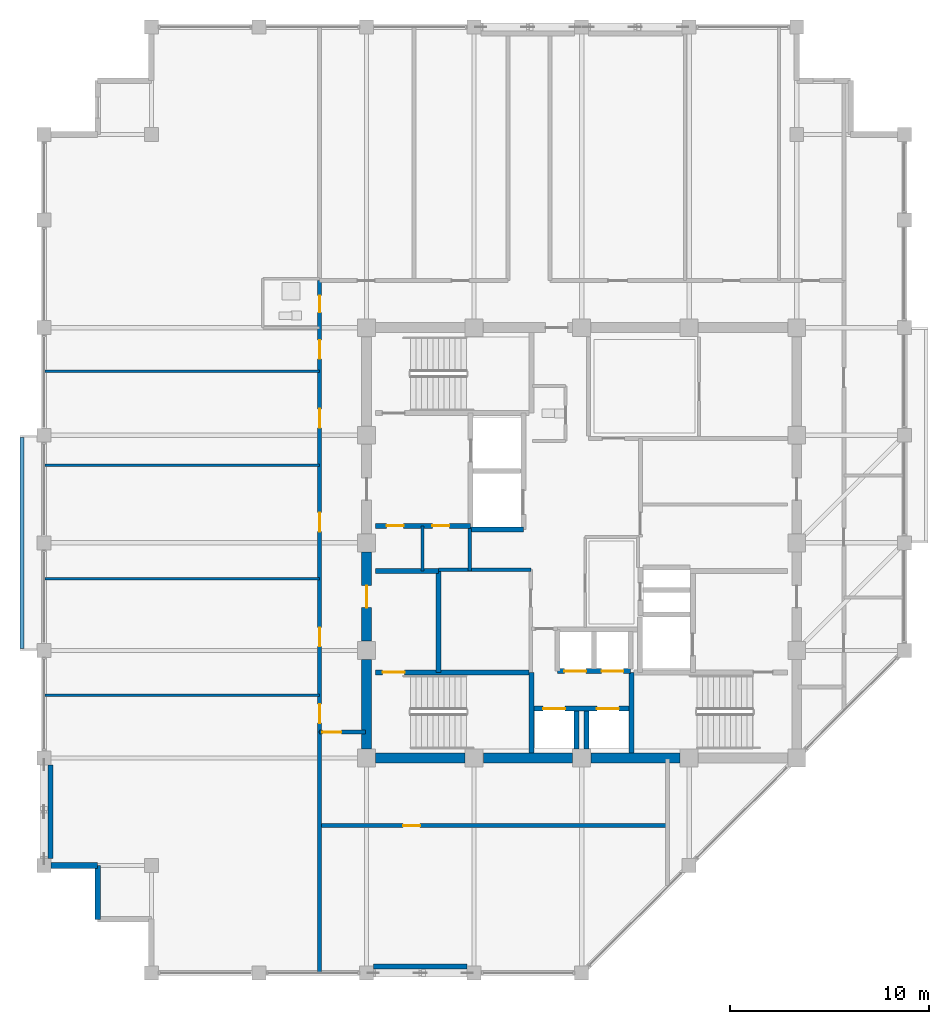
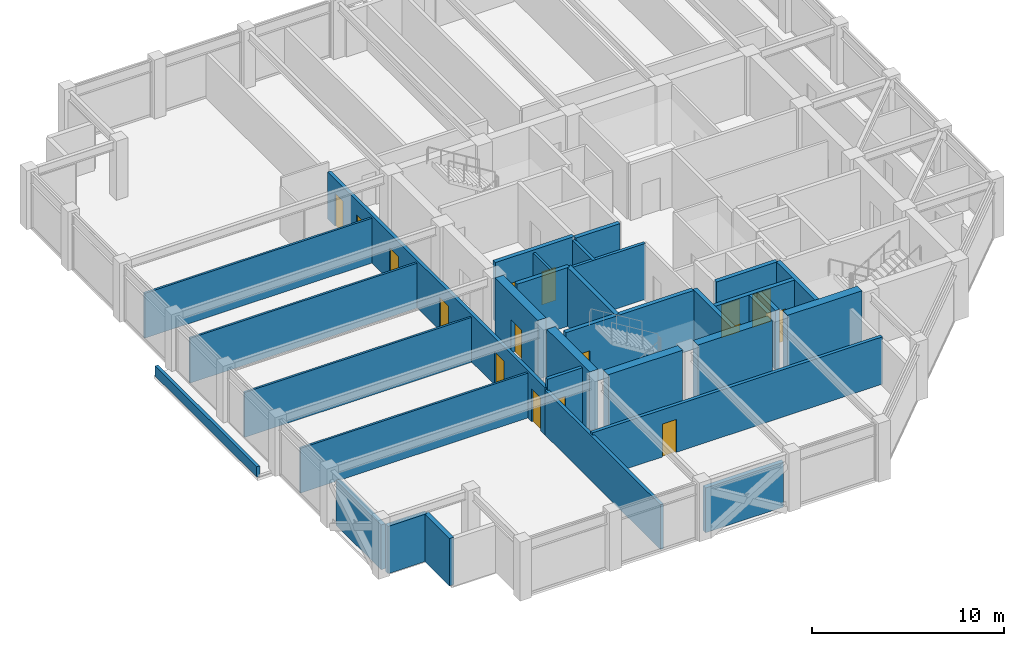
# One storey, part 25 of 30: 32 walls, 16 doors, 16 openings.
"""IFC4 building model written with IfcOpenShell, lengths in metres."""

from ifc_helpers import new_model, si_unit, direction, frame, frame_2d, origin, place, context, subcontext, project, spatial, rectangle, extrude, material, layer, layer_set, type_object, element, fill, save


model = new_model("IFC4")

# Units and contexts
model_context = context("Model", 3, precision=1e-05, world=origin(), true_north=direction((0.0, 1.0)))
body_context = subcontext(model_context, "Body", "Model", "MODEL_VIEW")
ifc_project = project(units=[si_unit("LENGTHUNIT", "METRE"), si_unit("AREAUNIT", "SQUARE_METRE"), si_unit("VOLUMEUNIT", "CUBIC_METRE"), si_unit("PLANEANGLEUNIT", "RADIAN"), si_unit("MASSUNIT", "GRAM", prefix="KILO")], contexts=[model_context])

# Site, building, storey
site_placement = place(None, origin())
site = spatial("IfcSite", under=ifc_project, at=site_placement, CompositionType="ELEMENT")
building_placement = place(site_placement, origin())
building = spatial("IfcBuilding", under=site, at=building_placement, Name="Surkhivell Harbour Commons", CompositionType="ELEMENT")
storey_placement = place(building_placement, frame((0.0, 0.0, 281.25)))
storey = spatial("IfcBuildingStorey", under=building, at=storey_placement, Name="L73", CompositionType="ELEMENT", Elevation=281.25)

# Walls
ifc_material_1 = material(Name="Concrete C50/60", Category="concrete")
ifc_layer_1 = layer(ifc_material_1, 0.5)
ifc_layer_set_1 = layer_set([ifc_layer_1], Name="Concrete C50/60")
wall_type_1 = type_object("IfcWallType", Name="WAL-CORE-500", PredefinedType="SHEAR", material=ifc_layer_set_1)
for number, where, z_axis, x_axis, name in (
    (1, (-10.340087890625, -10.800048828125, 0.0), (0.0, 0.0, 1.0), (1.0, 0.0, 0.0), "L73 Core Shear Wall South 1"),
    (2, (-10.800048828125, -10.340087890625, 0.0), (0.0, 0.0, 1.0), (0.0, 1.0, 0.0), "L73 Core Shear Wall West 1"),
    (3, (-4.93994140625, -10.800048828125, 0.0), (0.0, 0.0, 1.0), (1.0, 0.0, 0.0), "L73 Core Shear Wall South 2"),
):
    element("IfcWall", number, at=place(storey_placement, frame(where, z_axis=z_axis, x_axis=x_axis)), inside=storey, type_object=wall_type_1, Name=name, PredefinedType="SHEAR", context=body_context, shape_type="SweptSolid", body=[
        extrude(rectangle(XDim=4.47998046875, YDim=0.5, at=frame_2d((2.239990234375, 0.0))), origin(), (0.0, 0.0, 1.0), 3.75),
    ])

# Wall, opening, door
wall_1_placement = place(storey_placement, frame((-10.800048828125, -4.93994140625, 0.0), z_axis=(0.0, 0.0, 1.0), x_axis=(0.0, 1.0, 0.0)))
wall_1 = element("IfcWall", 4, at=wall_1_placement, inside=storey, type_object=wall_type_1, Name="L73 Core Shear Wall West 2", PredefinedType="SHEAR", context=body_context, shape_type="SweptSolid", body=[
    extrude(rectangle(XDim=4.47998046875, YDim=0.5, at=frame_2d((2.239990234375, 0.0))), origin(), (0.0, 0.0, 1.0), 3.75),
])
opening_1_placement = place(wall_1_placement, frame((1.68994140625, 0.0, 0.0)))
opening_1 = element("IfcOpeningElement", 5, at=opening_1_placement, cuts=wall_1, Name="Opening ID-2", PredefinedType="OPENING", context=body_context, shape_type="SweptSolid", body=[
    extrude(rectangle(XDim=1.10009765625, YDim=2.10009765625, at=frame_2d((0.550048828125, 1.050048828125))), frame((0.0, 0.260009765625, 0.0), z_axis=(0.0, -1.0, 0.0), x_axis=(1.0, 0.0, 0.0)), (0.0, 0.0, 1.0), 0.52001953125),
])
ifc_material_2 = material(Name="Hardwood-veneered fire-rated door leaf", Category="wood")
door_type_1 = type_object("IfcDoorType", Name="DOR-FD60-1100", OperationType="NOTDEFINED", PredefinedType="DOOR", material=ifc_material_2)
door_1_placement = place(opening_1_placement, origin())
door_1 = element("IfcDoor", 6, at=door_1_placement, inside=storey, type_object=door_type_1, Name="L73 Stair 3 Lobby Corridor Door", OperationType="SINGLE_SWING_LEFT", OverallHeight=2.10009765625, OverallWidth=1.10009765625, PredefinedType="DOOR", context=body_context, shape_type="SweptSolid", body=[
    extrude(rectangle(XDim=1.10009765625, YDim=2.10009765625, at=frame_2d((0.550048828125, 1.050048828125))), frame((0.0, 0.02490234375, 0.0), z_axis=(0.0, -1.0, 0.0), x_axis=(1.0, 0.0, 0.0)), (0.0, 0.0, 1.0), 0.050048828125),
])
fill(opening_1, door_1)

# Walls
wall_2_placement = place(storey_placement, frame((0.4599609375, -10.800048828125, 0.0), z_axis=(0.0, 0.0, 1.0), x_axis=(1.0, 0.0, 0.0)))
element("IfcWall", 7, at=wall_2_placement, inside=storey, type_object=wall_type_1, Name="L73 Core Shear Wall South 3", PredefinedType="SHEAR", context=body_context, shape_type="SweptSolid", body=[
    extrude(rectangle(XDim=4.47998046875, YDim=0.5, at=frame_2d((2.239990234375, 0.0))), origin(), (0.0, 0.0, 1.0), 3.75),
])
ifc_material_3 = material(Name="Pale-metal insulated precast concrete C45/55", Category="concrete")
ifc_layer_2 = layer(ifc_material_3, 0.260009765625)
ifc_layer_set_2 = layer_set([ifc_layer_2], Name="Pale-metal insulated precast concrete C45/55")
wall_type_2 = type_object("IfcWallType", Name="WAL-EXT-MTL260", PredefinedType="STANDARD", material=ifc_layer_set_2)
wall_3_placement = place(storey_placement, frame((-10.451904296875, -21.264892578125, 0.0), z_axis=(0.0, 0.0, 1.0), x_axis=(1.0, 0.0, 0.0)))
element("IfcWall", 8, at=wall_3_placement, inside=storey, type_object=wall_type_2, Name="L73 Braced-Bay Insulated Spandrel Backing S", PredefinedType="STANDARD", context=body_context, shape_type="SweptSolid", body=[
    extrude(rectangle(XDim=4.703857421875, YDim=0.260009765625, at=frame_2d((2.35205078125, 0.0))), origin(), (0.0, 0.0, 1.0), 2.85693359375),
])
wall_4_placement = place(storey_placement, frame((-26.6650390625, -11.14794921875, 0.0), z_axis=(0.0, 0.0, 1.0), x_axis=(0.0, -1.0, 0.0)))
element("IfcWall", 9, at=wall_4_placement, inside=storey, type_object=wall_type_2, Name="L73 Braced-Bay Insulated Spandrel Backing W", PredefinedType="STANDARD", context=body_context, shape_type="SweptSolid", body=[
    extrude(rectangle(XDim=4.7041015625, YDim=0.260009765625, at=frame_2d((2.35205078125, 0.0))), origin(), (0.0, 0.0, 1.0), 2.85693359375),
])
ifc_material_4 = material(Name="Terracotta-clad reinforced concrete C45/55", Category="masonry")
ifc_layer_3 = layer(ifc_material_4, 0.280029296875)
ifc_layer_set_3 = layer_set([ifc_layer_3], Name="Terracotta-clad reinforced concrete C45/55")
wall_type_3 = type_object("IfcWallType", Name="WAL-EXT-TER280", PredefinedType="STANDARD", material=ifc_layer_set_3)
wall_5_placement = place(storey_placement, frame((-26.652099609375, -16.199951171875, 0.0), z_axis=(0.0, 0.0, 1.0), x_axis=(1.0, 0.0, 0.0)))
element("IfcWall", 10, at=wall_5_placement, inside=storey, type_object=wall_type_3, Name="L73 Serrated Corner Facade Wall 13", PredefinedType="STANDARD", context=body_context, shape_type="SweptSolid", body=[
    extrude(rectangle(XDim=2.35205078125, YDim=0.280029296875, at=frame_2d((1.176025390625, 0.0))), origin(), (0.0, 0.0, 1.0), 3.012939453125),
])
wall_6_placement = place(storey_placement, frame((-24.300048828125, -16.199951171875, 0.0), z_axis=(0.0, 0.0, 1.0), x_axis=(0.0, -1.0, 0.0)))
element("IfcWall", 11, at=wall_6_placement, inside=storey, type_object=wall_type_3, Name="L73 Serrated Corner Facade Wall 14", PredefinedType="STANDARD", context=body_context, shape_type="SweptSolid", body=[
    extrude(rectangle(XDim=2.699951171875, YDim=0.280029296875, at=frame_2d((1.35009765625, 0.0))), origin(), (0.0, 0.0, 1.0), 3.012939453125),
])
ifc_material_5 = material(Name="Moisture-resistant acoustic stud partition", Category="other")
ifc_layer_4 = layer(ifc_material_5, 0.125)
ifc_layer_set_4 = layer_set([ifc_layer_4], Name="Moisture-resistant acoustic stud partition")
wall_type_4 = type_object("IfcWallType", Name="WAL-INT-125", PredefinedType="PARTITIONING", material=ifc_layer_set_4)
for number, where, z_axis, x_axis, name in (
    (12, (-26.93994140625, -1.800048828125, 0.0), (0.0, 0.0, 1.0), (1.0, 0.0, 0.0), "L73 West Partition BDP1"),
    (13, (-26.93994140625, 3.889892578125, 0.0), (0.0, 0.0, 1.0), (1.0, 0.0, 0.0), "L73 West Partition BDP2"),
    (14, (-26.93994140625, -7.64990234375, 0.0), (0.0, 0.0, 1.0), (1.0, 0.0, 0.0), "L73 West Partition PBOT"),
    (15, (-26.93994140625, 8.610107421875, 0.0), (0.0, 0.0, 1.0), (1.0, 0.0, 0.0), "L73 West Partition PTOP"),
):
    element("IfcWall", number, at=place(storey_placement, frame(where, z_axis=z_axis, x_axis=x_axis)), inside=storey, type_object=wall_type_4, Name=name, PredefinedType="PARTITIONING", context=body_context, shape_type="SweptSolid", body=[
        extrude(rectangle(XDim=13.780029296875, YDim=0.125, at=frame_2d((6.89013671875, 0.0))), origin(), (0.0, 0.0, 1.0), 2.85693359375),
    ])
ifc_material_6 = material(Name="Twin-stud acoustic fireboard partition", Category="other")
ifc_layer_5 = layer(ifc_material_6, 0.14990234375)
ifc_layer_set_5 = layer_set([ifc_layer_5], Name="Twin-stud acoustic fireboard partition")
wall_type_5 = type_object("IfcWallType", Name="WAL-INT-150", PredefinedType="PARTITIONING", material=ifc_layer_set_5)
wall_7_placement = place(storey_placement, frame((-8.0, -1.419921875, 0.0), z_axis=(0.0, 0.0, 1.0), x_axis=(0.0, 1.0, 0.0)))
element("IfcWall", 16, at=wall_7_placement, inside=storey, type_object=wall_type_5, Name="L73 West Core Cut D1", PredefinedType="PARTITIONING", context=body_context, shape_type="SweptSolid", body=[
    extrude(rectangle(XDim=2.27001953125, YDim=0.14990234375, at=frame_2d((1.135009765625, 0.0))), origin(), (0.0, 0.0, 1.0), 3.570068359375),
])
ifc_material_7 = material(Name="High-density acoustic blockwork fire partition", Category="masonry")
ifc_layer_6 = layer(ifc_material_7, 0.175048828125)
ifc_layer_set_6 = layer_set([ifc_layer_6], Name="High-density acoustic blockwork fire partition")
wall_type_6 = type_object("IfcWallType", Name="WAL-INT-175", PredefinedType="PARTITIONING", material=ifc_layer_set_6)
wall_8_placement = place(storey_placement, frame((-7.179931640625, -1.35009765625, 0.0), z_axis=(0.0, 0.0, 1.0), x_axis=(1.0, 0.0, 0.0)))
element("IfcWall", 17, at=wall_8_placement, inside=storey, type_object=wall_type_6, Name="L73 Core Service Bay North Wall", PredefinedType="PARTITIONING", context=body_context, shape_type="SweptSolid", body=[
    extrude(rectangle(XDim=4.6298828125, YDim=0.175048828125, at=frame_2d((2.31494140625, 0.0))), origin(), (0.0, 0.0, 1.0), 3.570068359375),
])
wall_9_placement = place(storey_placement, frame((-5.6201171875, -1.419921875, 0.0), z_axis=(0.0, 0.0, 1.0), x_axis=(0.0, 1.0, 0.0)))
element("IfcWall", 18, at=wall_9_placement, inside=storey, type_object=wall_type_6, Name="L73 West Core Bay East Wall", PredefinedType="PARTITIONING", context=body_context, shape_type="SweptSolid", body=[
    extrude(rectangle(XDim=2.139892578125, YDim=0.175048828125, at=frame_2d((1.06982421875, 0.0))), origin(), (0.0, 0.0, 1.0), 3.570068359375),
])

# Wall, opening, door
ifc_material_8 = material(Name="Autoclaved aerated concrete blockwork and fire plaster", Category="masonry")
ifc_layer_7 = layer(ifc_material_8, 0.199951171875)
ifc_layer_set_7 = layer_set([ifc_layer_7], Name="Autoclaved aerated concrete blockwork and fire plaster")
wall_type_7 = type_object("IfcWallType", Name="WAL-INT-200", PredefinedType="PARTITIONING", material=ifc_layer_set_7)
wall_10_placement = place(storey_placement, frame((-13.159912109375, -14.199951171875, 0.0), z_axis=(0.0, 0.0, 1.0), x_axis=(1.0, 0.0, 0.0)))
wall_10 = element("IfcWall", 19, at=wall_10_placement, inside=storey, type_object=wall_type_7, Name="L73 South Wing Horizontal Partition", PredefinedType="PARTITIONING", context=body_context, shape_type="SweptSolid", body=[
    extrude(rectangle(XDim=17.4599609375, YDim=0.199951171875, at=frame_2d((8.72998046875, 0.0))), origin(), (0.0, 0.0, 1.0), 3.012939453125),
])
opening_2_placement = place(wall_10_placement, frame((4.199951171875, 0.0, 0.0)))
opening_2 = element("IfcOpeningElement", 20, at=opening_2_placement, cuts=wall_10, Name="Opening ID-6", PredefinedType="OPENING", context=body_context, shape_type="SweptSolid", body=[
    extrude(rectangle(XDim=0.85009765625, YDim=2.10009765625, at=frame_2d((0.425048828125, 1.050048828125))), frame((0.0, 0.10986328125, 0.0), z_axis=(0.0, -1.0, 0.0), x_axis=(1.0, 0.0, 0.0)), (0.0, 0.0, 1.0), 0.219970703125),
])
door_type_2 = type_object("IfcDoorType", Name="DOR-FD30-850", OperationType="NOTDEFINED", PredefinedType="DOOR", material=ifc_material_2)
door_2_placement = place(opening_2_placement, origin())
door_2 = element("IfcDoor", 21, at=door_2_placement, inside=storey, type_object=door_type_2, Name="L73 South Music Door", OperationType="SINGLE_SWING_LEFT", OverallHeight=2.10009765625, OverallWidth=0.85009765625, PredefinedType="DOOR", context=body_context, shape_type="SweptSolid", body=[
    extrude(rectangle(XDim=0.85009765625, YDim=2.10009765625, at=frame_2d((0.425048828125, 1.050048828125))), frame((0.0, 0.02490234375, 0.0), z_axis=(0.0, -1.0, 0.0), x_axis=(1.0, 0.0, 0.0)), (0.0, 0.0, 1.0), 0.050048828125),
])
fill(opening_2, door_2)

# Wall
wall_11_placement = place(storey_placement, frame((-13.159912109375, -21.5400390625, 0.0), z_axis=(0.0, 0.0, 1.0), x_axis=(0.0, 1.0, 0.0)))
element("IfcWall", 22, at=wall_11_placement, inside=storey, type_object=wall_type_7, Name="L73 South Hall West Divider", PredefinedType="PARTITIONING", context=body_context, shape_type="SweptSolid", body=[
    extrude(rectangle(XDim=12.0400390625, YDim=0.199951171875, at=frame_2d((6.02001953125, 0.0))), origin(), (0.0, 0.0, 1.0), 2.85693359375),
])

# Wall, openings, doors
wall_12_placement = place(storey_placement, frame((-13.159912109375, -9.5, 0.0), z_axis=(0.0, 0.0, 1.0), x_axis=(0.0, 1.0, 0.0)))
wall_12 = element("IfcWall", 23, at=wall_12_placement, inside=storey, type_object=wall_type_7, Name="L73 West Corridor Wall", PredefinedType="PARTITIONING", context=body_context, shape_type="SweptSolid", body=[
    extrude(rectangle(XDim=22.659912109375, YDim=0.199951171875, at=frame_2d((11.330078125, 0.0))), origin(), (0.0, 0.0, 1.0), 3.012939453125),
])
opening_3_placement = place(wall_12_placement, frame((0.445068359375, 0.0, 0.0)))
opening_3 = element("IfcOpeningElement", 24, at=opening_3_placement, cuts=wall_12, Name="Opening ID-4", PredefinedType="OPENING", context=body_context, shape_type="SweptSolid", body=[
    extrude(rectangle(XDim=0.949951171875, YDim=2.10009765625, at=frame_2d((0.47509765625, 1.050048828125))), frame((0.0, 0.10986328125, 0.0), z_axis=(0.0, -1.0, 0.0), x_axis=(1.0, 0.0, 0.0)), (0.0, 0.0, 1.0), 0.219970703125),
])
opening_4_placement = place(wall_12_placement, frame((21.06494140625, 0.0, 0.0)))
opening_4 = element("IfcOpeningElement", 25, at=opening_4_placement, cuts=wall_12, Name="Opening ID-6", PredefinedType="OPENING", context=body_context, shape_type="SweptSolid", body=[
    extrude(rectangle(XDim=0.85009765625, YDim=2.10009765625, at=frame_2d((0.425048828125, 1.050048828125))), frame((0.0, 0.10986328125, 0.0), z_axis=(0.0, -1.0, 0.0), x_axis=(1.0, 0.0, 0.0)), (0.0, 0.0, 1.0), 0.219970703125),
])
opening_5_placement = place(wall_12_placement, frame((18.72998046875, 0.0, 0.0)))
opening_5 = element("IfcOpeningElement", 26, at=opening_5_placement, cuts=wall_12, Name="Opening ID-4", PredefinedType="OPENING", context=body_context, shape_type="SweptSolid", body=[
    extrude(rectangle(XDim=0.949951171875, YDim=2.10009765625, at=frame_2d((0.47509765625, 1.050048828125))), frame((0.0, 0.10986328125, 0.0), z_axis=(0.0, -1.0, 0.0), x_axis=(1.0, 0.0, 0.0)), (0.0, 0.0, 1.0), 0.219970703125),
])
opening_6_placement = place(wall_12_placement, frame((4.294921875, 0.0, 0.0)))
opening_6 = element("IfcOpeningElement", 27, at=opening_6_placement, cuts=wall_12, Name="Opening ID-4", PredefinedType="OPENING", context=body_context, shape_type="SweptSolid", body=[
    extrude(rectangle(XDim=0.949951171875, YDim=2.10009765625, at=frame_2d((0.47509765625, 1.050048828125))), frame((0.0, 0.10986328125, 0.0), z_axis=(0.0, -1.0, 0.0), x_axis=(1.0, 0.0, 0.0)), (0.0, 0.0, 1.0), 0.219970703125),
])
opening_7_placement = place(wall_12_placement, frame((10.06494140625, 0.0, 0.0)))
opening_7 = element("IfcOpeningElement", 28, at=opening_7_placement, cuts=wall_12, Name="Opening ID-4", PredefinedType="OPENING", context=body_context, shape_type="SweptSolid", body=[
    extrude(rectangle(XDim=0.949951171875, YDim=2.10009765625, at=frame_2d((0.47509765625, 1.050048828125))), frame((0.0, 0.10986328125, 0.0), z_axis=(0.0, -1.0, 0.0), x_axis=(1.0, 0.0, 0.0)), (0.0, 0.0, 1.0), 0.219970703125),
])
opening_8_placement = place(wall_12_placement, frame((15.27001953125, 0.0, 0.0)))
opening_8 = element("IfcOpeningElement", 29, at=opening_8_placement, cuts=wall_12, Name="Opening ID-4", PredefinedType="OPENING", context=body_context, shape_type="SweptSolid", body=[
    extrude(rectangle(XDim=0.949951171875, YDim=2.10009765625, at=frame_2d((0.47509765625, 1.050048828125))), frame((0.0, 0.10986328125, 0.0), z_axis=(0.0, -1.0, 0.0), x_axis=(1.0, 0.0, 0.0)), (0.0, 0.0, 1.0), 0.219970703125),
])
door_3_placement = place(opening_4_placement, origin())
door_3 = element("IfcDoor", 30, at=door_3_placement, inside=storey, type_object=door_type_2, Name="L73 Communal Shower Bathroom West Door", OperationType="SINGLE_SWING_RIGHT", OverallHeight=2.10009765625, OverallWidth=0.85009765625, PredefinedType="DOOR", context=body_context, shape_type="SweptSolid", body=[
    extrude(rectangle(XDim=0.85009765625, YDim=2.10009765625, at=frame_2d((0.425048828125, 1.050048828125))), frame((0.0, 0.02490234375, 0.0), z_axis=(0.0, -1.0, 0.0), x_axis=(1.0, 0.0, 0.0)), (0.0, 0.0, 1.0), 0.050048828125),
])
fill(opening_4, door_3)
door_type_3 = type_object("IfcDoorType", Name="DOR-FD60-950", OperationType="NOTDEFINED", PredefinedType="DOOR", material=ifc_material_2)
door_4_placement = place(opening_3_placement, origin())
door_4 = element("IfcDoor", 31, at=door_4_placement, inside=storey, type_object=door_type_3, Name="L73 Shared Communal Kitchen West Door", OperationType="SINGLE_SWING_LEFT", OverallHeight=2.10009765625, OverallWidth=0.949951171875, PredefinedType="DOOR", context=body_context, shape_type="SweptSolid", body=[
    extrude(rectangle(XDim=0.949951171875, YDim=2.10009765625, at=frame_2d((0.47509765625, 1.050048828125))), frame((0.0, 0.02490234375, 0.0), z_axis=(0.0, -1.0, 0.0), x_axis=(1.0, 0.0, 0.0)), (0.0, 0.0, 1.0), 0.050048828125),
])
fill(opening_3, door_4)
door_5_placement = place(opening_5_placement, origin())
door_5 = element("IfcDoor", 32, at=door_5_placement, inside=storey, type_object=door_type_3, Name="L73 Academic Reading Commons West Door", OperationType="SINGLE_SWING_LEFT", OverallHeight=2.10009765625, OverallWidth=0.949951171875, PredefinedType="DOOR", context=body_context, shape_type="SweptSolid", body=[
    extrude(rectangle(XDim=0.949951171875, YDim=2.10009765625, at=frame_2d((0.47509765625, 1.050048828125))), frame((0.0, 0.02490234375, 0.0), z_axis=(0.0, -1.0, 0.0), x_axis=(1.0, 0.0, 0.0)), (0.0, 0.0, 1.0), 0.050048828125),
])
fill(opening_5, door_5)
door_6_placement = place(opening_6_placement, origin())
door_6 = element("IfcDoor", 33, at=door_6_placement, inside=storey, type_object=door_type_3, Name="L73 Hostel Cluster Bedroom 1 West Door", OperationType="SINGLE_SWING_RIGHT", OverallHeight=2.10009765625, OverallWidth=0.949951171875, PredefinedType="DOOR", context=body_context, shape_type="SweptSolid", body=[
    extrude(rectangle(XDim=0.949951171875, YDim=2.10009765625, at=frame_2d((0.47509765625, 1.050048828125))), frame((0.0, 0.02490234375, 0.0), z_axis=(0.0, -1.0, 0.0), x_axis=(1.0, 0.0, 0.0)), (0.0, 0.0, 1.0), 0.050048828125),
])
fill(opening_6, door_6)
door_7_placement = place(opening_7_placement, origin())
door_7 = element("IfcDoor", 34, at=door_7_placement, inside=storey, type_object=door_type_3, Name="L73 Co-Living Dormitory Bedroom 2 West Door", OperationType="SINGLE_SWING_LEFT", OverallHeight=2.10009765625, OverallWidth=0.949951171875, PredefinedType="DOOR", context=body_context, shape_type="SweptSolid", body=[
    extrude(rectangle(XDim=0.949951171875, YDim=2.10009765625, at=frame_2d((0.47509765625, 1.050048828125))), frame((0.0, 0.02490234375, 0.0), z_axis=(0.0, -1.0, 0.0), x_axis=(1.0, 0.0, 0.0)), (0.0, 0.0, 1.0), 0.050048828125),
])
fill(opening_7, door_7)
door_8_placement = place(opening_8_placement, origin())
door_8 = element("IfcDoor", 35, at=door_8_placement, inside=storey, type_object=door_type_3, Name="L73 Hostel Cluster Bedroom 3 West Door", OperationType="SINGLE_SWING_RIGHT", OverallHeight=2.10009765625, OverallWidth=0.949951171875, PredefinedType="DOOR", context=body_context, shape_type="SweptSolid", body=[
    extrude(rectangle(XDim=0.949951171875, YDim=2.10009765625, at=frame_2d((0.47509765625, 1.050048828125))), frame((0.0, 0.02490234375, 0.0), z_axis=(0.0, -1.0, 0.0), x_axis=(1.0, 0.0, 0.0)), (0.0, 0.0, 1.0), 0.050048828125),
])
fill(opening_8, door_8)

# Wall, opening, door
wall_13_placement = place(storey_placement, frame((-13.159912109375, -9.5, 0.0), z_axis=(0.0, 0.0, 1.0), x_axis=(1.0, 0.0, 0.0)))
wall_13 = element("IfcWall", 36, at=wall_13_placement, inside=storey, type_object=wall_type_7, Name="L73 West Corridor South Portal Wall", PredefinedType="PARTITIONING", context=body_context, shape_type="SweptSolid", body=[
    extrude(rectangle(XDim=2.309814453125, YDim=0.199951171875, at=frame_2d((1.15478515625, 0.0))), origin(), (0.0, 0.0, 1.0), 3.570068359375),
])
opening_9_placement = place(wall_13_placement, frame((0.139892578125, 0.0, 0.0)))
opening_9 = element("IfcOpeningElement", 37, at=opening_9_placement, cuts=wall_13, Name="Opening ID-4", PredefinedType="OPENING", context=body_context, shape_type="SweptSolid", body=[
    extrude(rectangle(XDim=0.949951171875, YDim=2.10009765625, at=frame_2d((0.47509765625, 1.050048828125))), frame((0.0, 0.10986328125, 0.0), z_axis=(0.0, -1.0, 0.0), x_axis=(1.0, 0.0, 0.0)), (0.0, 0.0, 1.0), 0.219970703125),
])
door_9_placement = place(opening_9_placement, origin())
door_9 = element("IfcDoor", 38, at=door_9_placement, inside=storey, type_object=door_type_3, Name="L73 South Dining Door", OperationType="SINGLE_SWING_RIGHT", OverallHeight=2.10009765625, OverallWidth=0.949951171875, PredefinedType="DOOR", context=body_context, shape_type="SweptSolid", body=[
    extrude(rectangle(XDim=0.949951171875, YDim=2.10009765625, at=frame_2d((0.47509765625, 1.050048828125))), frame((0.0, 0.02490234375, 0.0), z_axis=(0.0, -1.0, 0.0), x_axis=(1.0, 0.0, 0.0)), (0.0, 0.0, 1.0), 0.050048828125),
])
fill(opening_9, door_9)

# Wall
ifc_material_9 = material(Name="Anodised aluminium and precast concrete C40/50", Category="concrete")
ifc_layer_8 = layer(ifc_material_9, 0.18505859375)
ifc_layer_set_8 = layer_set([ifc_layer_8], Name="Anodised aluminium and precast concrete C40/50")
wall_type_8 = type_object("IfcWallType", Name="WAL-PAR-185", PredefinedType="PARAPET", material=ifc_layer_set_8)
wall_14_placement = place(storey_placement, frame((-28.10009765625, 5.300048828125, 0.0), z_axis=(0.0, 0.0, 1.0), x_axis=(0.0, -1.0, 0.0)))
element("IfcWall", 39, at=wall_14_placement, inside=storey, type_object=wall_type_8, Name="L73 Box Roof Coping Parapet 2-1", PredefinedType="PARAPET", context=body_context, shape_type="SweptSolid", body=[
    extrude(rectangle(XDim=10.60009765625, YDim=0.18505859375, at=frame_2d((5.300048828125, 0.0))), origin(), (0.0, 0.0, 1.0), 0.64990234375),
])

# Wall, openings, doors
ifc_layer_9 = layer(ifc_material_1, 0.25)
ifc_layer_set_9 = layer_set([ifc_layer_9], Name="Concrete C50/60")
wall_type_9 = type_object("IfcWallType", Name="WAL-SHAFT-250", PredefinedType="SHEAR", material=ifc_layer_set_9)
wall_15_placement = place(storey_placement, frame((-10.340087890625, 0.85009765625, 0.0), z_axis=(0.0, 0.0, 1.0), x_axis=(1.0, 0.0, 0.0)))
wall_15 = element("IfcWall", 40, at=wall_15_placement, inside=storey, type_object=wall_type_9, Name="L73 Firefighting Lobby 1 South Wall", PredefinedType="SHEAR", context=body_context, shape_type="SweptSolid", body=[
    extrude(rectangle(XDim=4.760009765625, YDim=0.25, at=frame_2d((2.3798828125, 0.0))), origin(), (0.0, 0.0, 1.0), 3.75),
])
opening_10_placement = place(wall_15_placement, frame((0.550048828125, 0.0, 0.0)))
opening_10 = element("IfcOpeningElement", 41, at=opening_10_placement, cuts=wall_15, Name="Opening ID-6", PredefinedType="OPENING", context=body_context, shape_type="SweptSolid", body=[
    extrude(rectangle(XDim=0.85009765625, YDim=2.10009765625, at=frame_2d((0.425048828125, 1.050048828125))), frame((0.0, 0.135009765625, 0.0), z_axis=(0.0, -1.0, 0.0), x_axis=(1.0, 0.0, 0.0)), (0.0, 0.0, 1.0), 0.27001953125),
])
opening_11_placement = place(wall_15_placement, frame((2.85009765625, 0.0, 0.0)))
opening_11 = element("IfcOpeningElement", 42, at=opening_11_placement, cuts=wall_15, Name="Opening ID-6", PredefinedType="OPENING", context=body_context, shape_type="SweptSolid", body=[
    extrude(rectangle(XDim=0.85009765625, YDim=2.10009765625, at=frame_2d((0.425048828125, 1.050048828125))), frame((0.0, 0.135009765625, 0.0), z_axis=(0.0, -1.0, 0.0), x_axis=(1.0, 0.0, 0.0)), (0.0, 0.0, 1.0), 0.27001953125),
])
door_10_placement = place(opening_10_placement, origin())
door_10 = element("IfcDoor", 43, at=door_10_placement, inside=storey, type_object=door_type_2, Name="L73 West Seminar Pod Door", OperationType="SINGLE_SWING_LEFT", OverallHeight=2.10009765625, OverallWidth=0.85009765625, PredefinedType="DOOR", context=body_context, shape_type="SweptSolid", body=[
    extrude(rectangle(XDim=0.85009765625, YDim=2.10009765625, at=frame_2d((0.425048828125, 1.050048828125))), frame((0.0, 0.02490234375, 0.0), z_axis=(0.0, -1.0, 0.0), x_axis=(1.0, 0.0, 0.0)), (0.0, 0.0, 1.0), 0.050048828125),
])
fill(opening_10, door_10)
door_11_placement = place(opening_11_placement, origin())
door_11 = element("IfcDoor", 44, at=door_11_placement, inside=storey, type_object=door_type_2, Name="L73 West Reading Pod Door", OperationType="SINGLE_SWING_RIGHT", OverallHeight=2.10009765625, OverallWidth=0.85009765625, PredefinedType="DOOR", context=body_context, shape_type="SweptSolid", body=[
    extrude(rectangle(XDim=0.85009765625, YDim=2.10009765625, at=frame_2d((0.425048828125, 1.050048828125))), frame((0.0, 0.02490234375, 0.0), z_axis=(0.0, -1.0, 0.0), x_axis=(1.0, 0.0, 0.0)), (0.0, 0.0, 1.0), 0.050048828125),
])
fill(opening_11, door_11)

# Walls
for number, where, z_axis, x_axis, name in (
    (45, (-0.25, -10.35009765625, 0.0), (0.0, 0.0, 1.0), (0.0, 1.0, 0.0), "L73 High-Rise Side Wall S"),
    (46, (0.25, -10.35009765625, 0.0), (0.0, 0.0, 1.0), (0.0, 1.0, 0.0), "L73 High-Rise Side Wall S"),
):
    element("IfcWall", number, at=place(storey_placement, frame(where, z_axis=z_axis, x_axis=x_axis)), inside=storey, type_object=wall_type_9, Name=name, PredefinedType="SHEAR", context=body_context, shape_type="SweptSolid", body=[
        extrude(rectangle(XDim=1.91015625, YDim=0.25, at=frame_2d((0.955078125, 0.0))), origin(), (0.0, 0.0, 1.0), 3.75),
    ])

# Wall, openings, doors
wall_16_placement = place(storey_placement, frame((-1.219970703125, -6.43994140625, 0.0), z_axis=(0.0, 0.0, 1.0), x_axis=(1.0, 0.0, 0.0)))
wall_16 = element("IfcWall", 47, at=wall_16_placement, inside=storey, type_object=wall_type_9, Name="L73 High-Rise North Front Shaft Wall", PredefinedType="SHEAR", context=body_context, shape_type="SweptSolid", body=[
    extrude(rectangle(XDim=3.669921875, YDim=0.25, at=frame_2d((1.8349609375, 0.0))), origin(), (0.0, 0.0, 1.0), 3.75),
])
opening_12_placement = place(wall_16_placement, frame((0.35009765625, 0.0, 0.0)))
opening_12 = element("IfcOpeningElement", 48, at=opening_12_placement, cuts=wall_16, Name="Opening LD-1", PredefinedType="OPENING", context=body_context, shape_type="SweptSolid", body=[
    extrude(rectangle(XDim=1.10009765625, YDim=2.10009765625, at=frame_2d((0.550048828125, 1.050048828125))), frame((0.0, 0.135009765625, 0.0), z_axis=(0.0, -1.0, 0.0), x_axis=(1.0, 0.0, 0.0)), (0.0, 0.0, 1.0), 0.27001953125),
])
opening_13_placement = place(wall_16_placement, frame((2.219970703125, 0.0, 0.0)))
opening_13 = element("IfcOpeningElement", 49, at=opening_13_placement, cuts=wall_16, Name="Opening LD-1", PredefinedType="OPENING", context=body_context, shape_type="SweptSolid", body=[
    extrude(rectangle(XDim=1.10009765625, YDim=2.10009765625, at=frame_2d((0.550048828125, 1.050048828125))), frame((0.0, 0.135009765625, 0.0), z_axis=(0.0, -1.0, 0.0), x_axis=(1.0, 0.0, 0.0)), (0.0, 0.0, 1.0), 0.27001953125),
])
ifc_material_10 = material(Name="Brushed stainless steel S355", Category="steel")
door_type_4 = type_object("IfcDoorType", Name="DOR-LD-1100", OperationType="SLIDING_TO_LEFT", PredefinedType="DOOR", material=ifc_material_10)
door_12_placement = place(opening_12_placement, origin())
door_12 = element("IfcDoor", 50, at=door_12_placement, inside=storey, type_object=door_type_4, Name="L73 Lift Landing Door LD-PH1", OperationType="SLIDING_TO_LEFT", OverallHeight=2.10009765625, OverallWidth=1.10009765625, PredefinedType="DOOR", context=body_context, shape_type="SweptSolid", body=[
    extrude(rectangle(XDim=1.10009765625, YDim=2.10009765625, at=frame_2d((0.550048828125, 1.050048828125))), frame((0.0, 0.02490234375, 0.0), z_axis=(0.0, -1.0, 0.0), x_axis=(1.0, 0.0, 0.0)), (0.0, 0.0, 1.0), 0.050048828125),
])
fill(opening_12, door_12)
door_13_placement = place(opening_13_placement, origin())
door_13 = element("IfcDoor", 51, at=door_13_placement, inside=storey, type_object=door_type_4, Name="L73 Lift Landing Door LD-PH2", OperationType="SLIDING_TO_LEFT", OverallHeight=2.10009765625, OverallWidth=1.10009765625, PredefinedType="DOOR", context=body_context, shape_type="SweptSolid", body=[
    extrude(rectangle(XDim=1.10009765625, YDim=2.10009765625, at=frame_2d((0.550048828125, 1.050048828125))), frame((0.0, 0.02490234375, 0.0), z_axis=(0.0, -1.0, 0.0), x_axis=(1.0, 0.0, 0.0)), (0.0, 0.0, 1.0), 0.050048828125),
])
fill(opening_13, door_13)

wall_17_placement = place(storey_placement, frame((-2.47998046875, -8.320068359375, 0.0), z_axis=(0.0, 0.0, 1.0), x_axis=(1.0, 0.0, 0.0)))
wall_17 = element("IfcWall", 52, at=wall_17_placement, inside=storey, type_object=wall_type_9, Name="L73 High-Rise South Front Shaft Wall", PredefinedType="SHEAR", context=body_context, shape_type="SweptSolid", body=[
    extrude(rectangle(XDim=4.929931640625, YDim=0.25, at=frame_2d((2.46484375, 0.0))), origin(), (0.0, 0.0, 1.0), 3.75),
])
opening_14_placement = place(wall_17_placement, frame((0.550048828125, 0.0, 0.0)))
opening_14 = element("IfcOpeningElement", 53, at=opening_14_placement, cuts=wall_17, Name="Opening LD-1", PredefinedType="OPENING", context=body_context, shape_type="SweptSolid", body=[
    extrude(rectangle(XDim=1.10009765625, YDim=2.10009765625, at=frame_2d((0.550048828125, 1.050048828125))), frame((0.0, 0.135009765625, 0.0), z_axis=(0.0, -1.0, 0.0), x_axis=(1.0, 0.0, 0.0)), (0.0, 0.0, 1.0), 0.27001953125),
])
opening_15_placement = place(wall_17_placement, frame((3.25, 0.0, 0.0)))
opening_15 = element("IfcOpeningElement", 54, at=opening_15_placement, cuts=wall_17, Name="Opening LD-1", PredefinedType="OPENING", context=body_context, shape_type="SweptSolid", body=[
    extrude(rectangle(XDim=1.10009765625, YDim=2.10009765625, at=frame_2d((0.550048828125, 1.050048828125))), frame((0.0, 0.135009765625, 0.0), z_axis=(0.0, -1.0, 0.0), x_axis=(1.0, 0.0, 0.0)), (0.0, 0.0, 1.0), 0.27001953125),
])
door_14_placement = place(opening_14_placement, origin())
door_14 = element("IfcDoor", 55, at=door_14_placement, inside=storey, type_object=door_type_4, Name="L73 Lift Landing Door LD-PH3", OperationType="SLIDING_TO_LEFT", OverallHeight=2.10009765625, OverallWidth=1.10009765625, PredefinedType="DOOR", context=body_context, shape_type="SweptSolid", body=[
    extrude(rectangle(XDim=1.10009765625, YDim=2.10009765625, at=frame_2d((0.550048828125, 1.050048828125))), frame((0.0, 0.02490234375, 0.0), z_axis=(0.0, -1.0, 0.0), x_axis=(1.0, 0.0, 0.0)), (0.0, 0.0, 1.0), 0.050048828125),
])
fill(opening_14, door_14)
door_15_placement = place(opening_15_placement, origin())
door_15 = element("IfcDoor", 56, at=door_15_placement, inside=storey, type_object=door_type_4, Name="L73 Lift Landing Door LD-PH4", OperationType="SLIDING_TO_LEFT", OverallHeight=2.10009765625, OverallWidth=1.10009765625, PredefinedType="DOOR", context=body_context, shape_type="SweptSolid", body=[
    extrude(rectangle(XDim=1.10009765625, YDim=2.10009765625, at=frame_2d((0.550048828125, 1.050048828125))), frame((0.0, 0.02490234375, 0.0), z_axis=(0.0, -1.0, 0.0), x_axis=(1.0, 0.0, 0.0)), (0.0, 0.0, 1.0), 0.050048828125),
])
fill(opening_15, door_15)

# Walls
for number, where, z_axis, x_axis, name in (
    (57, (2.510009765625, -10.550048828125, 0.0), (0.0, 0.0, 1.0), (0.0, 1.0, 0.0), "L73 Stair ST2 West Shear Wall"),
    (58, (-2.510009765625, -10.550048828125, 0.0), (0.0, 0.0, 1.0), (0.0, 1.0, 0.0), "L73 Stair ST3 East Shear Wall"),
):
    element("IfcWall", number, at=place(storey_placement, frame(where, z_axis=z_axis, x_axis=x_axis)), inside=storey, type_object=wall_type_9, Name=name, PredefinedType="SHEAR", context=body_context, shape_type="SweptSolid", body=[
        extrude(rectangle(XDim=4.0400390625, YDim=0.25, at=frame_2d((2.02001953125, 0.0))), origin(), (0.0, 0.0, 1.0), 3.75),
    ])
wall_18_placement = place(storey_placement, frame((-7.179931640625, -6.510009765625, 0.0), z_axis=(0.0, 0.0, 1.0), x_axis=(0.0, 1.0, 0.0)))
element("IfcWall", 59, at=wall_18_placement, inside=storey, type_object=wall_type_9, Name="L73 Stair 3 Lobby East Wall", PredefinedType="SHEAR", context=body_context, shape_type="SweptSolid", body=[
    extrude(rectangle(XDim=5.090087890625, YDim=0.25, at=frame_2d((2.544921875, 0.0))), origin(), (0.0, 0.0, 1.0), 3.75),
])
wall_19_placement = place(storey_placement, frame((-10.340087890625, -1.419921875, 0.0), z_axis=(0.0, 0.0, 1.0), x_axis=(1.0, 0.0, 0.0)))
element("IfcWall", 60, at=wall_19_placement, inside=storey, type_object=wall_type_9, Name="L73 Stair 3 Lobby North Wall", PredefinedType="SHEAR", context=body_context, shape_type="SweptSolid", body=[
    extrude(rectangle(XDim=3.16015625, YDim=0.25, at=frame_2d((1.580078125, 0.0))), origin(), (0.0, 0.0, 1.0), 3.75),
])

# Wall, opening, door
wall_20_placement = place(storey_placement, frame((-10.340087890625, -6.510009765625, 0.0), z_axis=(0.0, 0.0, 1.0), x_axis=(1.0, 0.0, 0.0)))
wall_20 = element("IfcWall", 61, at=wall_20_placement, inside=storey, type_object=wall_type_9, Name="L73 Stair ST3 North Shear Wall", PredefinedType="SHEAR", context=body_context, shape_type="SweptSolid", body=[
    extrude(rectangle(XDim=7.7001953125, YDim=0.25, at=frame_2d((3.85009765625, 0.0))), origin(), (0.0, 0.0, 1.0), 3.75),
])
opening_16_placement = place(wall_20_placement, frame((0.35009765625, 0.0, 0.0)))
opening_16 = element("IfcOpeningElement", 62, at=opening_16_placement, cuts=wall_20, Name="Opening ID-2", PredefinedType="OPENING", context=body_context, shape_type="SweptSolid", body=[
    extrude(rectangle(XDim=1.10009765625, YDim=2.10009765625, at=frame_2d((0.550048828125, 1.050048828125))), frame((0.0, 0.135009765625, 0.0), z_axis=(0.0, -1.0, 0.0), x_axis=(1.0, 0.0, 0.0)), (0.0, 0.0, 1.0), 0.27001953125),
])
door_16_placement = place(opening_16_placement, origin())
door_16 = element("IfcDoor", 63, at=door_16_placement, inside=storey, type_object=door_type_1, Name="L73 Stair ST3 Exit Door", OperationType="SINGLE_SWING_RIGHT", OverallHeight=2.10009765625, OverallWidth=1.10009765625, PredefinedType="DOOR", context=body_context, shape_type="SweptSolid", body=[
    extrude(rectangle(XDim=1.10009765625, YDim=2.10009765625, at=frame_2d((0.550048828125, 1.050048828125))), frame((0.0, 0.02490234375, 0.0), z_axis=(0.0, -1.0, 0.0), x_axis=(1.0, 0.0, 0.0)), (0.0, 0.0, 1.0), 0.050048828125),
])
fill(opening_16, door_16)

# Wall
wall_21_placement = place(storey_placement, frame((-5.580078125, 0.679931640625, 0.0), z_axis=(0.0, 0.0, 1.0), x_axis=(1.0, 0.0, 0.0)))
element("IfcWall", 64, at=wall_21_placement, inside=storey, type_object=wall_type_9, Name="L73 SVL1 South Shaft Wall", PredefinedType="SHEAR", context=body_context, shape_type="SweptSolid", body=[
    extrude(rectangle(XDim=2.650146484375, YDim=0.25, at=frame_2d((1.3251953125, 0.0))), origin(), (0.0, 0.0, 1.0), 3.75),
])

save(model, "model.ifc")
